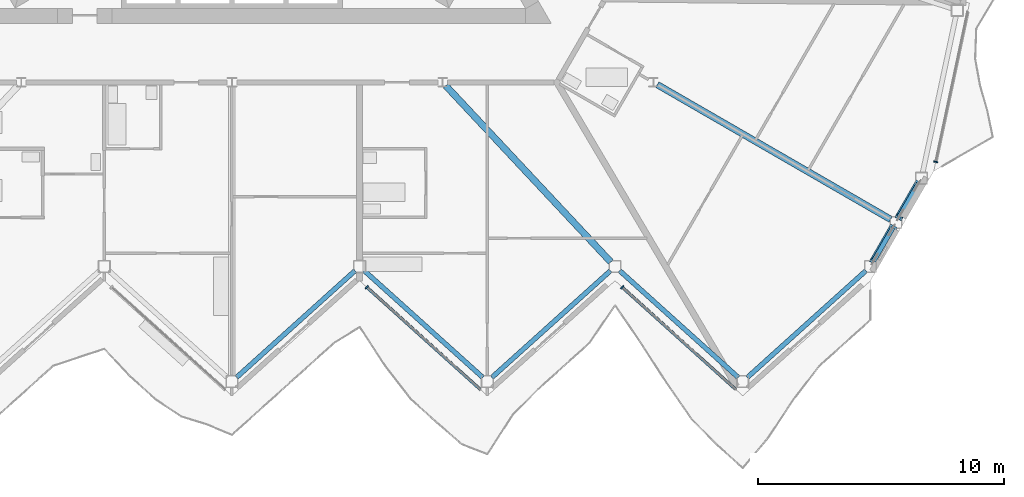
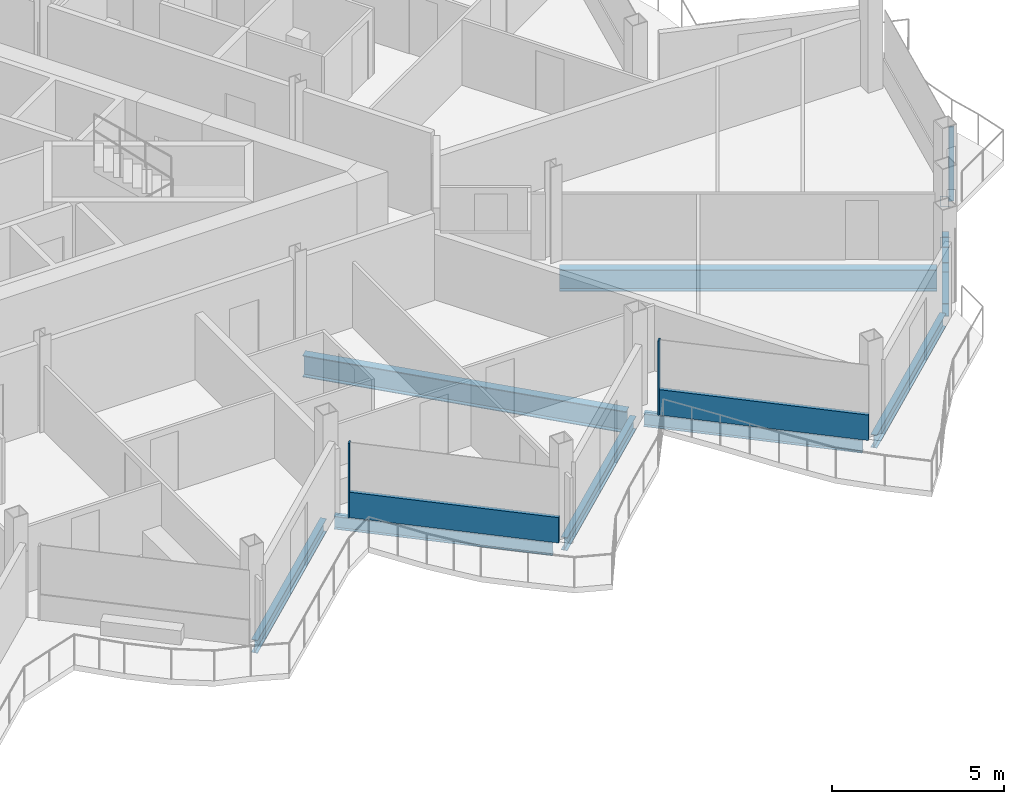
# One storey, part 7 of 26: 9 beams, 7 members, 3 elements without a shape of their own.
"""IFC4 building model written with IfcOpenShell, lengths in metres."""

from ifc_helpers import new_model, si_unit, direction, frame, origin, origin_2d, place, context, subcontext, project, spatial, rectangle, hollow_rectangle, i_section, extrude, material, layer, layer_set, material_profile, profile_set, type_object, element, aggregate, save


model = new_model("IFC4")

# Units and contexts
model_context = context("Model", 3, precision=1e-05, world=origin(), true_north=direction((0.0, 1.0)))
body_context = subcontext(model_context, "Body", "Model", "MODEL_VIEW")
ifc_project = project(units=[si_unit("LENGTHUNIT", "METRE"), si_unit("AREAUNIT", "SQUARE_METRE"), si_unit("VOLUMEUNIT", "CUBIC_METRE"), si_unit("PLANEANGLEUNIT", "RADIAN"), si_unit("MASSUNIT", "GRAM", prefix="KILO")], contexts=[model_context])

# Site, building, storey
site_placement = place(None, origin())
site = spatial("IfcSite", under=ifc_project, at=site_placement, CompositionType="ELEMENT")
building_placement = place(site_placement, origin())
building = spatial("IfcBuilding", under=site, at=building_placement, Name="Cormorant Prow Tower", CompositionType="ELEMENT")
storey_placement = place(building_placement, frame((0.0, 0.0, 371.199951171875)))
storey = spatial("IfcBuildingStorey", under=building, at=storey_placement, Name="L83", CompositionType="ELEMENT", Elevation=371.199951171875)

# Members
ifc_material_1 = material(Name="Structural steel ASTM A500 Gr C", Category="steel")
ifc_material_profile_1 = material_profile(ifc_material_1, hollow_rectangle(XDim=0.3046875, YDim=0.3046875, WallThickness=0.01171875, at=origin_2d()), Name="HSS12x12x1/2")
ifc_profile_set_1 = profile_set([ifc_material_profile_1], Name="Structural steel ASTM A500 Gr C")
member_type_1 = type_object("IfcMemberType", Name="Chamfer brace HSS12x12x1/2", PredefinedType="BRACE", material=ifc_profile_set_1)
member_1_placement = place(storey_placement, frame((26.91357421875, -15.823486328125, 0.770751953125), z_axis=(-0.41132825952, -0.712359043209, 0.568641940485), x_axis=(0.866000359435, -0.500043375578, 0.0)))
element("IfcMember", 1, at=member_1_placement, inside=storey, type_object=member_type_1, Name="Chamfer brace BR3 at ESE00 L83", PredefinedType="BRACE", context=body_context, shape_type="SweptSolid", body=[
    extrude(hollow_rectangle(XDim=0.3046875, YDim=0.3046875, WallThickness=0.01171875, at=origin_2d()), origin(), (0.0, 0.0, 1.0), 1.92138671875),
])
member_2_placement = place(storey_placement, frame((27.950439453125, -14.027587890625, 0.770751953125), z_axis=(-0.411259909174, -0.712333680754, 0.568723143867), x_axis=(0.866028632512, -0.499994407638, 0.0)))
element("IfcMember", 2, at=member_2_placement, inside=storey, type_object=member_type_1, Name="Chamfer brace BR3 at ESE01 L83", PredefinedType="BRACE", context=body_context, shape_type="SweptSolid", body=[
    extrude(hollow_rectangle(XDim=0.3046875, YDim=0.3046875, WallThickness=0.01171875, at=origin_2d()), origin(), (0.0, 0.0, 1.0), 1.921142578125),
])

# Beams
ifc_material_2 = material(Name="Structural steel ASTM A992 Gr 50", Category="steel")
ifc_material_profile_2 = material_profile(ifc_material_2, i_section(OverallWidth=0.267822265625, OverallDepth=0.77001953125, WebThickness=0.015625, FlangeThickness=0.025390625, at=origin_2d()), Name="W30x132")
ifc_profile_set_2 = profile_set([ifc_material_profile_2], Name="Structural steel ASTM A992 Gr 50")
beam_type_1 = type_object("IfcBeamType", Name="Radial floor beam W30x132", PredefinedType="BEAM", material=ifc_profile_set_2)
beam_1_placement = place(storey_placement, frame((8.706298828125, -10.0419921875, -0.684814453125), z_axis=(0.683430760659, -0.730015339144, 0.0), x_axis=(0.730015339144, 0.683430760659, 0.0)))
element("IfcBeam", 3, at=beam_1_placement, inside=storey, type_object=beam_type_1, Name="Radial floor beam FB3 8 L83", PredefinedType="BEAM", context=body_context, shape_type="SweptSolid", body=[
    extrude(i_section(OverallWidth=0.267822265625, OverallDepth=0.77001953125, WebThickness=0.015625, FlangeThickness=0.025390625, at=origin_2d()), origin(), (0.0, 0.0, 1.0), 9.8369140625),
])
beam_2_placement = place(storey_placement, frame((17.31884765625, -9.9990234375, -0.684814453125), z_axis=(0.866018830095, -0.500011385791, 0.0), x_axis=(0.500011385791, 0.866018830095, 0.0)))
element("IfcBeam", 4, at=beam_2_placement, inside=storey, type_object=beam_type_1, Name="Radial floor beam FB3 9 L83", PredefinedType="BEAM", context=body_context, shape_type="SweptSolid", body=[
    extrude(i_section(OverallWidth=0.267822265625, OverallDepth=0.77001953125, WebThickness=0.015625, FlangeThickness=0.025390625, at=origin_2d()), origin(), (0.0, 0.0, 1.0), 10.971435546875),
])

# Curtain wall, member
ifc_material_3 = material(Name="Aluminium 6063-T6", Category="aluminium")
ifc_layer = layer(ifc_material_3, 0.159912109375)
ifc_layer_set = layer_set([ifc_layer], Name="Aluminium 6063-T6")
curtain_wall_type = type_object("IfcCurtainWallType", Name="Residential unitised curtain wall 160", PredefinedType="NOTDEFINED", material=ifc_layer_set)
curtain_wall_1_placement = place(storey_placement, origin())
curtain_wall_1 = element("IfcCurtainWall", 5, at=curtain_wall_1_placement, inside=storey, type_object=curtain_wall_type, Name="Residential curtain wall S06", PredefinedType="NOTDEFINED")
ifc_material_4 = material(Name="Aluminium 6063-T6", Category="aluminium")
ifc_material_profile_3 = material_profile(ifc_material_4, rectangle(XDim=0.159912109375, YDim=0.050048828125, at=origin_2d()), Name="Residential mullion 50x160")
ifc_profile_set_3 = profile_set([ifc_material_profile_3], Name="Aluminium 6063-T6")
member_type_2 = type_object("IfcMemberType", Name="Residential mullion 50x160", PredefinedType="MULLION", material=ifc_profile_set_3)
member_3_placement = place(storey_placement, frame((5.490478515625, -18.2451171875, 0.0), z_axis=(0.0, 0.0, 1.0), x_axis=(0.669130603959, 0.743144827638, 0.0)))
member_3 = element("IfcMember", 6, at=member_3_placement, type_object=member_type_2, Name="Residential mullion S06", PredefinedType="MULLION", context=body_context, shape_type="SweptSolid", body=[
    extrude(rectangle(XDim=0.159912109375, YDim=0.050048828125, at=origin_2d()), origin(), (0.0, 0.0, 1.0), 2.634033203125),
])

curtain_wall_2_placement = place(storey_placement, origin())
curtain_wall_2 = element("IfcCurtainWall", 7, at=curtain_wall_2_placement, inside=storey, type_object=curtain_wall_type, Name="Residential curtain wall S08", PredefinedType="NOTDEFINED")
member_4_placement = place(storey_placement, frame((15.890625, -18.2451171875, 0.0), z_axis=(0.0, 0.0, 1.0), x_axis=(0.669130603959, 0.743144827638, 0.0)))
member_4 = element("IfcMember", 8, at=member_4_placement, type_object=member_type_2, Name="Residential mullion S08", PredefinedType="MULLION", context=body_context, shape_type="SweptSolid", body=[
    extrude(rectangle(XDim=0.159912109375, YDim=0.050048828125, at=origin_2d()), origin(), (0.0, 0.0, 1.0), 2.634033203125),
])

curtain_wall_3_placement = place(storey_placement, origin())
curtain_wall_3 = element("IfcCurtainWall", 9, at=curtain_wall_3_placement, inside=storey, type_object=curtain_wall_type, Name="Residential curtain wall ENE00", PredefinedType="NOTDEFINED")
member_5_placement = place(storey_placement, frame((28.655517578125, -13.142333984375, 0.0), z_axis=(0.0, 0.0, 1.0), x_axis=(-0.978147615768, 0.207911620089, 0.0)))
member_5 = element("IfcMember", 10, at=member_5_placement, type_object=member_type_2, Name="Residential mullion ENE00", PredefinedType="MULLION", context=body_context, shape_type="SweptSolid", body=[
    extrude(rectangle(XDim=0.159912109375, YDim=0.050048828125, at=origin_2d()), origin(), (0.0, 0.0, 1.0), 2.634033203125),
])
aggregate(curtain_wall_3, [member_5])

# Member
ifc_material_5 = material(Name="Terracotta", Category="masonry")
ifc_material_profile_4 = material_profile(ifc_material_5, rectangle(XDim=0.1201171875, YDim=0.89990234375, at=origin_2d()), Name="Residential terracotta spandrel rail 120x900")
ifc_profile_set_4 = profile_set([ifc_material_profile_4], Name="Terracotta")
member_type_3 = type_object("IfcMemberType", Name="Residential terracotta spandrel rail 120x900", PredefinedType="USERDEFINED", material=ifc_profile_set_4)
member_6_placement = place(storey_placement, frame((5.509033203125, -18.261962890625, 0.449951171875), z_axis=(0.743159360055, -0.669114463723, 0.0), x_axis=(0.669114463723, 0.743159360055, 0.0)))
member_6 = element("IfcMember", 11, at=member_6_placement, type_object=member_type_3, Name="Residential spandrel rail S06", ObjectType="TRANSOM", PredefinedType="USERDEFINED", context=body_context, shape_type="SweptSolid", body=[
    extrude(rectangle(XDim=0.1201171875, YDim=0.89990234375, at=origin_2d()), origin(), (0.0, 0.0, 1.0), 6.21533203125),
])

aggregate(curtain_wall_1, [member_3, member_6])

member_7_placement = place(storey_placement, frame((15.9091796875, -18.261962890625, 0.449951171875), z_axis=(0.743159360055, -0.669114463723, 0.0), x_axis=(0.669114463723, 0.743159360055, 0.0)))
member_7 = element("IfcMember", 12, at=member_7_placement, type_object=member_type_3, Name="Residential spandrel rail S08", ObjectType="TRANSOM", PredefinedType="USERDEFINED", context=body_context, shape_type="SweptSolid", body=[
    extrude(rectangle(XDim=0.1201171875, YDim=0.89990234375, at=origin_2d()), origin(), (0.0, 0.0, 1.0), 6.21533203125),
])

aggregate(curtain_wall_2, [member_4, member_7])

# Beams
ifc_material_6 = material(Name="Structural steel ASTM A992 Gr 50", Category="steel")
ifc_material_profile_5 = material_profile(ifc_material_6, i_section(OverallWidth=0.19287109375, OverallDepth=0.466064453125, WebThickness=0.011474609375, FlangeThickness=0.01904296875, at=origin_2d()), Name="W18x65")
ifc_profile_set_5 = profile_set([ifc_material_profile_5], Name="Structural steel ASTM A992 Gr 50")
beam_type_2 = type_object("IfcBeamType", Name="Spandrel beam W18x65", PredefinedType="SPANDREL", material=ifc_profile_set_5)
for number, where, z_axis, x_axis, name in (
    (13, (0.185791015625, -21.920654296875, -0.532958984375), (0.743131573737, 0.669145323614, 0.0), (-0.669145323614, 0.743131573737, 0.0), "Spandrel beam SB4 S05-S06 L83"),
    (14, (5.3857421875, -17.572998046875, -0.532958984375), (0.743131573737, -0.669145323614, 0.0), (0.669145323614, 0.743131573737, 0.0), "Spandrel beam SB4 S06-S07 L83"),
):
    element("IfcBeam", number, at=place(storey_placement, frame(where, z_axis=z_axis, x_axis=x_axis)), inside=storey, type_object=beam_type_2, Name=name, PredefinedType="SPANDREL", context=body_context, shape_type="SweptSolid", body=[
        extrude(i_section(OverallWidth=0.19287109375, OverallDepth=0.466064453125, WebThickness=0.011474609375, FlangeThickness=0.01904296875, at=origin_2d()), origin(), (0.0, 0.0, 1.0), 6.497314453125),
    ])
beam_3_placement = place(storey_placement, frame((10.585693359375, -21.920654296875, -0.532958984375), z_axis=(0.743148397689, 0.669126638995, 0.0), x_axis=(-0.669126638995, 0.743148397689, 0.0)))
element("IfcBeam", 15, at=beam_3_placement, inside=storey, type_object=beam_type_2, Name="Spandrel beam SB4 S07-S08 L83", PredefinedType="SPANDREL", context=body_context, shape_type="SweptSolid", body=[
    extrude(i_section(OverallWidth=0.19287109375, OverallDepth=0.466064453125, WebThickness=0.011474609375, FlangeThickness=0.01904296875, at=origin_2d()), origin(), (0.0, 0.0, 1.0), 6.49755859375),
])
for number, where, z_axis, x_axis, name in (
    (16, (15.785888671875, -17.572998046875, -0.532958984375), (0.743131573737, -0.669145323614, 0.0), (0.669145323614, 0.743131573737, 0.0), "Spandrel beam SB4 S08-S09 L83"),
    (17, (20.98583984375, -21.920654296875, -0.532958984375), (0.743131573737, 0.669145323614, 0.0), (-0.669145323614, 0.743131573737, 0.0), "Spandrel beam SB4 S09-ESE00 L83"),
):
    element("IfcBeam", number, at=place(storey_placement, frame(where, z_axis=z_axis, x_axis=x_axis)), inside=storey, type_object=beam_type_2, Name=name, PredefinedType="SPANDREL", context=body_context, shape_type="SweptSolid", body=[
        extrude(i_section(OverallWidth=0.19287109375, OverallDepth=0.466064453125, WebThickness=0.011474609375, FlangeThickness=0.01904296875, at=origin_2d()), origin(), (0.0, 0.0, 1.0), 6.497314453125),
    ])
for number, where, z_axis, x_axis, name in (
    (18, (26.125, -17.189208984375, -0.532958984375), (0.499959680857, 0.866048680801, 0.0), (-0.866048680801, 0.499959680857, 0.0), "Spandrel beam SB4 ESE00-ESE01 L83"),
    (19, (27.161865234375, -15.393310546875, -0.532958984375), (0.499959680857, 0.866048680801, 0.0), (-0.866048680801, 0.499959680857, 0.0), "Spandrel beam SB4 ESE01-ENE00 L83"),
):
    element("IfcBeam", number, at=place(storey_placement, frame(where, z_axis=z_axis, x_axis=x_axis)), inside=storey, type_object=beam_type_2, Name=name, PredefinedType="SPANDREL", context=body_context, shape_type="SweptSolid", body=[
        extrude(i_section(OverallWidth=0.19287109375, OverallDepth=0.466064453125, WebThickness=0.011474609375, FlangeThickness=0.01904296875, at=origin_2d()), origin(), (0.0, 0.0, 1.0), 1.573974609375),
    ])

save(model, "model.ifc")
